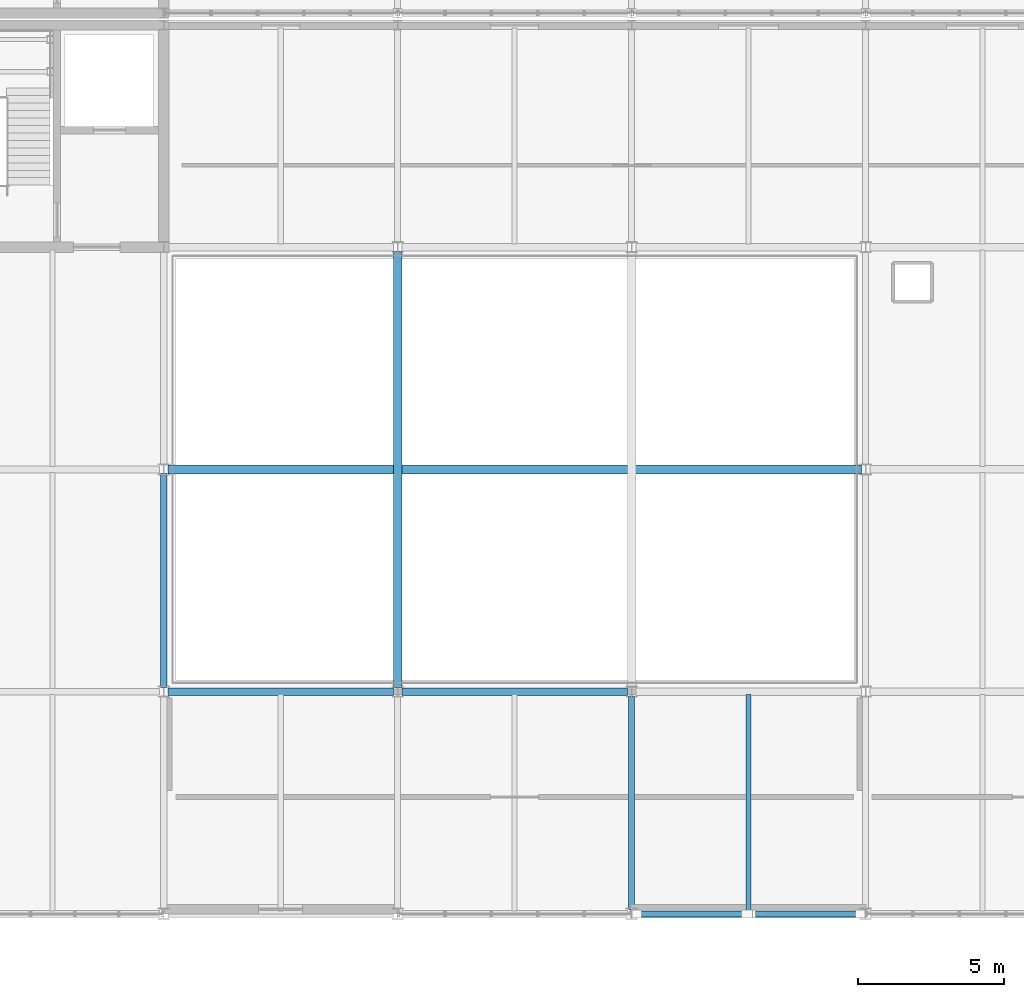
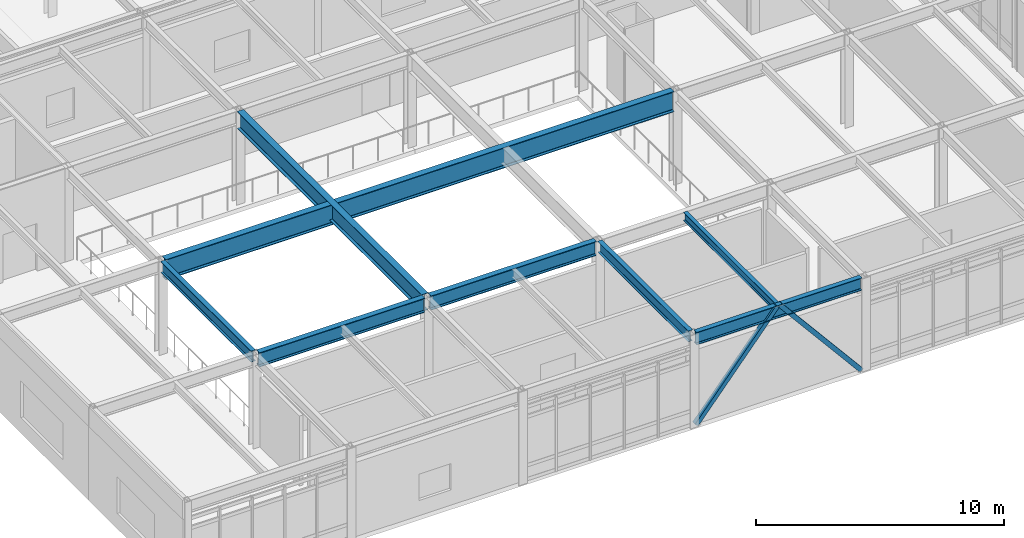
# One storey, part 59 of 104: 8 beams, 2 members.
"""IFC4 building model written with IfcOpenShell, lengths in metres."""

from ifc_helpers import new_model, si_unit, direction, frame, origin, origin_2d, place, context, subcontext, project, spatial, hollow_rectangle, i_section, extrude, material, material_profile, profile_set, type_object, element, save


model = new_model("IFC4")

# Units and contexts
model_context = context("Model", 3, precision=1e-05, world=origin(), true_north=direction((0.0, 1.0)))
body_context = subcontext(model_context, "Body", "Model", "MODEL_VIEW")
ifc_project = project(units=[si_unit("LENGTHUNIT", "METRE"), si_unit("AREAUNIT", "SQUARE_METRE"), si_unit("VOLUMEUNIT", "CUBIC_METRE"), si_unit("PLANEANGLEUNIT", "RADIAN"), si_unit("MASSUNIT", "GRAM", prefix="KILO")], contexts=[model_context])

# Site, building, storey
site_placement = place(None, origin())
site = spatial("IfcSite", under=ifc_project, at=site_placement, CompositionType="ELEMENT")
building_placement = place(site_placement, origin())
building = spatial("IfcBuilding", under=site, at=building_placement, Name="Zulena Civic Courthouse", CompositionType="ELEMENT")
storey_placement = place(building_placement, frame((0.0, 0.0, 10.800048828125)))
storey = spatial("IfcBuildingStorey", under=building, at=storey_placement, Name="L02", CompositionType="ELEMENT", Elevation=10.800048828125)

# Members
ifc_material_1 = material(Name="Steel ASTM A500 Grade C", Category="steel")
ifc_material_profile_1 = material_profile(ifc_material_1, hollow_rectangle(XDim=0.202880859375, YDim=0.202880859375, WallThickness=0.01171875, at=origin_2d()), Name="HSS8X8X1/2")
ifc_profile_set_1 = profile_set([ifc_material_profile_1], Name="Steel ASTM A500 Grade C")
member_type = type_object("IfcMemberType", Name="Brace_HSS8", PredefinedType="BRACE", material=ifc_profile_set_1)
for number, where, z_axis, x_axis, name in (
    (1, (148.14990234375, 0.0, 0.010009765625), (0.641014438311, 0.0, 0.767528820225), (0.0, 1.0, 0.0), "brace:V1:L02:2:0"),
    (2, (155.85009765625, 0.0, 0.010009765625), (-0.641014438311, 0.0, 0.767528820225), (0.0, -1.0, 0.0), "brace:V1:L02:2:1"),
):
    element("IfcMember", number, at=place(storey_placement, frame(where, z_axis=z_axis, x_axis=x_axis)), inside=storey, type_object=member_type, Name=name, PredefinedType="BRACE", context=body_context, shape_type="SweptSolid", body=[
        extrude(hollow_rectangle(XDim=0.202880859375, YDim=0.202880859375, WallThickness=0.01171875, at=origin_2d()), origin(), (0.0, 0.0, 1.0), 5.92822265625),
    ])

# Beams
ifc_material_2 = material(Name="Steel ASTM A992 Grade 50", Category="steel")
ifc_material_profile_2 = material_profile(ifc_material_2, i_section(OverallWidth=0.214111328125, OverallDepth=0.549072265625, WebThickness=0.0146484375, FlangeThickness=0.023681640625, FilletRadius=0.0126953125, at=origin_2d()), Name="W21X93")
ifc_profile_set_2 = profile_set([ifc_material_profile_2], Name="Steel ASTM A992 Grade 50")
beam_type_1 = type_object("IfcBeamType", Name="Girder_W21X93", PredefinedType="BEAM", material=ifc_profile_set_2)
beam_1_placement = place(storey_placement, frame((132.0, 7.7451171875, 4.3154296875), z_axis=(0.0, 1.0, 0.0), x_axis=(-1.0, 0.0, 0.0)))
element("IfcBeam", 3, at=beam_1_placement, inside=storey, type_object=beam_type_1, Name="beam:Y:V1:L02:132.0:7.6_15.2", PredefinedType="BEAM", context=body_context, shape_type="SweptSolid", body=[
    extrude(i_section(OverallWidth=0.214111328125, OverallDepth=0.549072265625, WebThickness=0.0146484375, FlangeThickness=0.023681640625, FilletRadius=0.0126953125, at=origin_2d()), origin(), (0.0, 0.0, 1.0), 7.309814453125),
])
ifc_material_profile_3 = material_profile(ifc_material_2, i_section(OverallWidth=0.25390625, OverallDepth=0.701904296875, WebThickness=0.015380859375, FlangeThickness=0.02783203125, FilletRadius=0.0166015625, at=origin_2d()), Name="W27X129")
ifc_profile_set_3 = profile_set([ifc_material_profile_3], Name="Steel ASTM A992 Grade 50")
beam_type_2 = type_object("IfcBeamType", Name="Girder_W27X129", PredefinedType="BEAM", material=ifc_profile_set_3)
for number, where, z_axis, x_axis, name in (
    (4, (132.14501953125, 7.60009765625, 4.239013671875), (1.0, 0.0, 0.0), (0.0, 1.0, 0.0), "beam:X:V1:L02:7.6:132.0_140.0"),
    (5, (140.14501953125, 7.60009765625, 4.239013671875), (1.0, 0.0, 0.0), (0.0, 1.0, 0.0), "beam:X:V1:L02:7.6:140.0_148.0"),
):
    element("IfcBeam", number, at=place(storey_placement, frame(where, z_axis=z_axis, x_axis=x_axis)), inside=storey, type_object=beam_type_2, Name=name, PredefinedType="BEAM", context=body_context, shape_type="SweptSolid", body=[
        extrude(i_section(OverallWidth=0.25390625, OverallDepth=0.701904296875, WebThickness=0.015380859375, FlangeThickness=0.02783203125, FilletRadius=0.0166015625, at=origin_2d()), origin(), (0.0, 0.0, 1.0), 7.7099609375),
    ])
ifc_material_profile_4 = material_profile(ifc_material_2, i_section(OverallWidth=0.2919921875, OverallDepth=0.841064453125, WebThickness=0.0146484375, FlangeThickness=0.021728515625, FilletRadius=0.017822265625, at=origin_2d()), Name="W33X130")
ifc_profile_set_4 = profile_set([ifc_material_profile_4], Name="Steel ASTM A992 Grade 50")
beam_type_3 = type_object("IfcBeamType", Name="Girder_W33X130", PredefinedType="BEAM", material=ifc_profile_set_4)
beam_2_placement = place(storey_placement, frame((140.0, 7.7451171875, 4.16943359375), z_axis=(0.0, 1.0, 0.0), x_axis=(-1.0, 0.0, 0.0)))
element("IfcBeam", 6, at=beam_2_placement, inside=storey, type_object=beam_type_3, Name="beam:Y:V1:L02:140.0:7.6_22.8", PredefinedType="BEAM", context=body_context, shape_type="SweptSolid", body=[
    extrude(i_section(OverallWidth=0.2919921875, OverallDepth=0.841064453125, WebThickness=0.0146484375, FlangeThickness=0.021728515625, FilletRadius=0.017822265625, at=origin_2d()), origin(), (0.0, 0.0, 1.0), 14.909912109375),
])
ifc_material_profile_5 = material_profile(ifc_material_2, i_section(OverallWidth=0.300048828125, OverallDepth=1.008056640625, WebThickness=0.0166015625, FlangeThickness=0.027099609375, FilletRadius=0.020263671875, at=origin_2d()), Name="W40X199")
ifc_profile_set_5 = profile_set([ifc_material_profile_5], Name="Steel ASTM A992 Grade 50")
beam_type_4 = type_object("IfcBeamType", Name="Girder_W40X199", PredefinedType="BEAM", material=ifc_profile_set_5)
beam_3_placement = place(storey_placement, frame((132.14501953125, 15.199951171875, 4.0859375), z_axis=(1.0, 0.0, 0.0), x_axis=(0.0, 1.0, 0.0)))
element("IfcBeam", 7, at=beam_3_placement, inside=storey, type_object=beam_type_4, Name="beam:X:V1:L02:15.2:132.0_156.0", PredefinedType="BEAM", context=body_context, shape_type="SweptSolid", body=[
    extrude(i_section(OverallWidth=0.300048828125, OverallDepth=1.008056640625, WebThickness=0.0166015625, FlangeThickness=0.027099609375, FilletRadius=0.020263671875, at=origin_2d()), origin(), (0.0, 0.0, 1.0), 23.7099609375),
])
ifc_material_profile_6 = material_profile(ifc_material_2, i_section(OverallWidth=0.177978515625, OverallDepth=0.406005859375, WebThickness=0.0078125, FlangeThickness=0.0126953125, FilletRadius=0.01025390625, at=origin_2d()), Name="W16X40")
ifc_profile_set_6 = profile_set([ifc_material_profile_6], Name="Steel ASTM A992 Grade 50")
beam_type_5 = type_object("IfcBeamType", Name="Joist_W16X40", PredefinedType="JOIST", material=ifc_profile_set_6)
beam_4_placement = place(storey_placement, frame((152.0, 0.10498046875, 4.386962890625), z_axis=(0.0, 1.0, 0.0), x_axis=(-1.0, 0.0, 0.0)))
element("IfcBeam", 8, at=beam_4_placement, inside=storey, type_object=beam_type_5, Name="joist:V1:L02:152.00:0.0_7.6", PredefinedType="JOIST", context=body_context, shape_type="SweptSolid", body=[
    extrude(i_section(OverallWidth=0.177978515625, OverallDepth=0.406005859375, WebThickness=0.0078125, FlangeThickness=0.0126953125, FilletRadius=0.01025390625, at=origin_2d()), origin(), (0.0, 0.0, 1.0), 7.39013671875),
])
ifc_material_profile_7 = material_profile(ifc_material_2, i_section(OverallWidth=0.2099609375, OverallDepth=0.537109375, WebThickness=0.010986328125, FlangeThickness=0.017333984375, FilletRadius=0.0126953125, at=origin_2d()), Name="W21X68")
ifc_profile_set_7 = profile_set([ifc_material_profile_7], Name="Steel ASTM A992 Grade 50")
beam_type_6 = type_object("IfcBeamType", Name="Spandrel_W21X68", PredefinedType="SPANDREL", material=ifc_profile_set_7)
beam_5_placement = place(storey_placement, frame((148.0, 0.14501953125, 4.321533203125), z_axis=(0.0, 1.0, 0.0), x_axis=(-1.0, 0.0, 0.0)))
element("IfcBeam", 9, at=beam_5_placement, inside=storey, type_object=beam_type_6, Name="beam:Y:V1:L02:148.0:0.0_7.6", PredefinedType="SPANDREL", context=body_context, shape_type="SweptSolid", body=[
    extrude(i_section(OverallWidth=0.2099609375, OverallDepth=0.537109375, WebThickness=0.010986328125, FlangeThickness=0.017333984375, FilletRadius=0.0126953125, at=origin_2d()), origin(), (0.0, 0.0, 1.0), 7.31005859375),
])
ifc_material_profile_8 = material_profile(ifc_material_2, i_section(OverallWidth=0.22998046875, OverallDepth=0.616943359375, WebThickness=0.01318359375, FlangeThickness=0.022216796875, FilletRadius=0.0126953125, at=origin_2d()), Name="W24X94")
ifc_profile_set_8 = profile_set([ifc_material_profile_8], Name="Steel ASTM A992 Grade 50")
beam_type_7 = type_object("IfcBeamType", Name="Spandrel_W24X94", PredefinedType="SPANDREL", material=ifc_profile_set_8)
beam_6_placement = place(storey_placement, frame((148.14501953125, 0.0, 4.281494140625), z_axis=(1.0, 0.0, 0.0), x_axis=(0.0, 1.0, 0.0)))
element("IfcBeam", 10, at=beam_6_placement, inside=storey, type_object=beam_type_7, Name="beam:X:V1:L02:0.0:148.0_156.0", PredefinedType="SPANDREL", context=body_context, shape_type="SweptSolid", body=[
    extrude(i_section(OverallWidth=0.22998046875, OverallDepth=0.616943359375, WebThickness=0.01318359375, FlangeThickness=0.022216796875, FilletRadius=0.0126953125, at=origin_2d()), origin(), (0.0, 0.0, 1.0), 7.7099609375),
])

save(model, "model.ifc")
